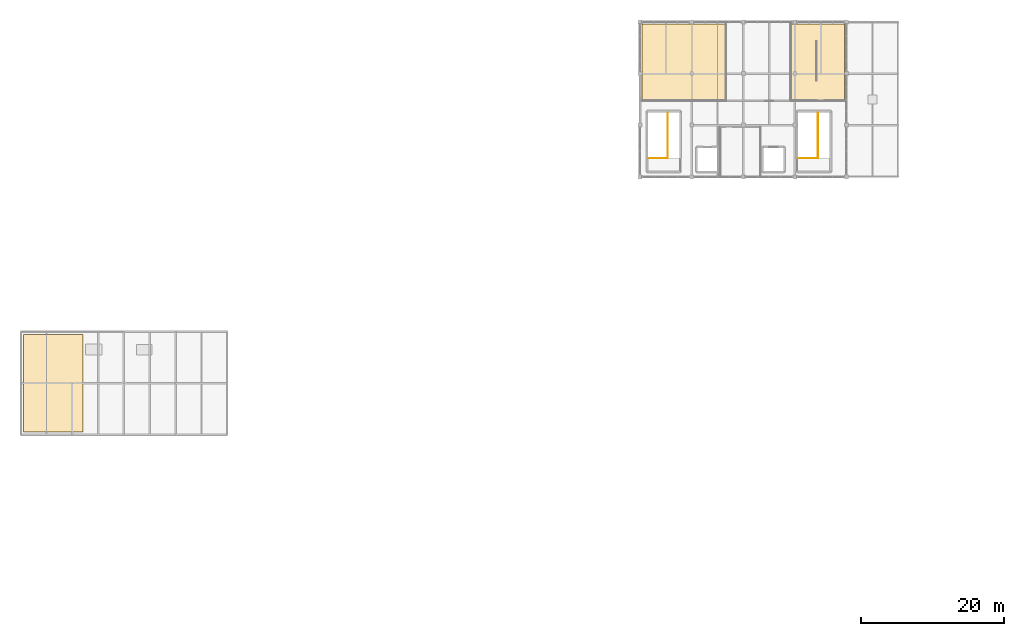
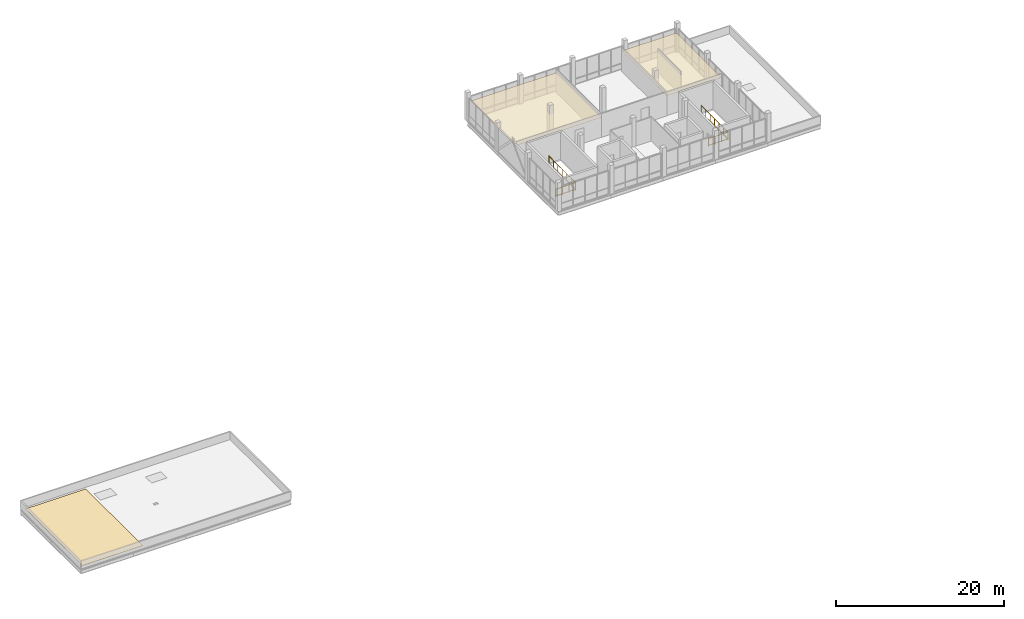
# One storey, part 27 of 28: 3 coverings, 2 railings.
"""IFC4 building model written with IfcOpenShell, lengths in metres."""

from ifc_helpers import new_model, si_unit, direction, frame, origin, origin_2d, place, context, subcontext, project, spatial, polyline, circle, outline, extrude, material, layer, layer_set, type_object, element, save


model = new_model("IFC4")

# Units and contexts
model_context = context("Model", 3, precision=1e-05, world=origin(), true_north=direction((0.0, 1.0)))
body_context = subcontext(model_context, "Body", "Model", "MODEL_VIEW")
ifc_project = project(units=[si_unit("LENGTHUNIT", "METRE"), si_unit("AREAUNIT", "SQUARE_METRE"), si_unit("VOLUMEUNIT", "CUBIC_METRE"), si_unit("PLANEANGLEUNIT", "RADIAN"), si_unit("MASSUNIT", "GRAM", prefix="KILO")], contexts=[model_context])

# Site, building, storey
site_placement = place(None, origin())
site = spatial("IfcSite", under=ifc_project, at=site_placement, CompositionType="ELEMENT")
building_placement = place(site_placement, origin())
building = spatial("IfcBuilding", under=site, at=building_placement, Name="Yarey Park Central Fire Station", CompositionType="ELEMENT")
storey_placement = place(building_placement, frame((0.0, 0.0, 22.199951171875)))
storey = spatial("IfcBuildingStorey", under=building, at=storey_placement, Name="L06", CompositionType="ELEMENT", Elevation=22.199951171875)

# Coverings
ifc_material_1 = material(Name="High-Albedo TPO Roofing Membrane", Category="membrane")
ifc_layer_1 = layer(ifc_material_1, 0.034912109375)
ifc_layer_set_1 = layer_set([ifc_layer_1], Name="High-Albedo TPO Roofing Membrane")
covering_type_1 = type_object("IfcCoveringType", Name="ENV_COV_ROOF_1", PredefinedType="ROOFING", material=ifc_layer_set_1)
covering_1_placement = place(storey_placement, origin())
element("IfcCovering", 1, at=covering_1_placement, inside=storey, type_object=covering_type_1, Name="ROOFING_L06_PAV", PredefinedType="ROOFING", context=body_context, shape_type="SweptSolid", body=[
    extrude(outline(polyline([(29.199951171875, 58.0), (37.5, 58.0), (37.5, 71.60009765625), (29.199951171875, 71.60009765625), (29.199951171875, 58.0)])), origin(), (0.0, 0.0, 1.0), 0.03515625),
])
ifc_material_2 = material(Name="Acoustic Mineral Fibre Tile", Category="finish")
ifc_layer_2 = layer(ifc_material_2, 0.02001953125)
ifc_layer_set_2 = layer_set([ifc_layer_2], Name="Acoustic Mineral Fibre Tile")
covering_type_2 = type_object("IfcCoveringType", Name="INT_CEIL_ACT_1", PredefinedType="CEILING", material=ifc_layer_set_2)
covering_2_placement = place(storey_placement, frame((0.0, 0.0, 2.85009765625)))
element("IfcCovering", 2, at=covering_2_placement, inside=storey, type_object=covering_type_2, Name="CEIL_SPC_L06_CMD", PredefinedType="CEILING", context=body_context, shape_type="SweptSolid", body=[
    extrude(outline(polyline([(115.489990234375, 104.18994140625), (127.2099609375, 104.18994140625), (127.2099609375, 114.909912109375), (115.489990234375, 114.909912109375), (115.489990234375, 104.18994140625)])), origin(), (0.0, 0.0, 1.0), 0.02001953125),
])
ifc_layer_3 = layer(ifc_material_2, 0.031982421875)
ifc_layer_set_3 = layer_set([ifc_layer_3], Name="Acoustic Mineral Fibre Tile")
covering_type_3 = type_object("IfcCoveringType", Name="INT_CEIL_ACT_2", PredefinedType="CEILING", material=ifc_layer_set_3)
covering_3_placement = place(storey_placement, frame((0.0, 0.0, 2.85009765625)))
element("IfcCovering", 3, at=covering_3_placement, inside=storey, type_object=covering_type_3, Name="CEIL_SPC_L06_CONF", PredefinedType="CEILING", context=body_context, shape_type="SweptSolid", body=[
    extrude(outline(polyline([(136.18994140625, 104.18994140625), (143.7099609375, 104.18994140625), (143.7099609375, 114.909912109375), (136.18994140625, 114.909912109375), (136.18994140625, 104.18994140625)])), origin(), (0.0, 0.0, 1.0), 0.031982421875),
])

# Railings
ifc_material_3 = material(Name="Galvanized Steel Balustrade", Category="steel")
railing_type = type_object("IfcRailingType", Name="INT_RAIL_GUARD112", PredefinedType="BALUSTRADE", material=ifc_material_3)
railing_1_placement = place(storey_placement, frame((116.35009765625, 96.179931640625, 0.0)))
element("IfcRailing", 4, at=railing_1_placement, inside=storey, type_object=railing_type, Name="GRD_C1_L06_TOPWELL", PredefinedType="BALUSTRADE", context=body_context, shape_type="SweptSolid", body=[
    extrude(circle(Radius=0.02392578125, at=origin_2d()), frame((0.0, 0.0, 1.09619140625), z_axis=(1.0, 0.0, 0.0), x_axis=(0.0, 1.0, 0.0)), (0.0, 0.0, 1.0), 2.699951171875),
    extrude(circle(Radius=0.02392578125, at=origin_2d()), frame((0.0, 0.0, 0.1201171875), z_axis=(1.0, 0.0, 0.0), x_axis=(0.0, 1.0, 0.0)), (0.0, 0.0, 1.0), 2.699951171875),
    extrude(circle(Radius=0.02392578125, at=origin_2d()), frame((2.699951171875, 0.0, 1.09619140625), z_axis=(0.0, 1.0, 0.0), x_axis=(-1.0, 0.0, 0.0)), (0.0, 0.0, 1.0), 6.3701171875),
    extrude(circle(Radius=0.02392578125, at=origin_2d()), frame((2.699951171875, 0.0, 0.1201171875), z_axis=(0.0, 1.0, 0.0), x_axis=(-1.0, 0.0, 0.0)), (0.0, 0.0, 1.0), 6.3701171875),
    extrude(circle(Radius=0.02099609375, at=origin_2d()), origin(), (0.0, 0.0, 1.0), 1.072021484375),
    extrude(circle(Radius=0.02099609375, at=origin_2d()), frame((0.89990234375, 0.0, 0.0)), (0.0, 0.0, 1.0), 1.072021484375),
    extrude(circle(Radius=0.02099609375, at=origin_2d()), frame((1.800048828125, 0.0, 0.0)), (0.0, 0.0, 1.0), 1.072021484375),
    extrude(circle(Radius=0.02099609375, at=origin_2d()), frame((2.699951171875, 0.0, 0.0)), (0.0, 0.0, 1.0), 1.072021484375),
    extrude(circle(Radius=0.02099609375, at=origin_2d()), frame((2.699951171875, 1.061767578125, 0.0)), (0.0, 0.0, 1.0), 1.072021484375),
    extrude(circle(Radius=0.02099609375, at=origin_2d()), frame((2.699951171875, 2.123291015625, 0.0)), (0.0, 0.0, 1.0), 1.072021484375),
    extrude(circle(Radius=0.02099609375, at=origin_2d()), frame((2.699951171875, 3.18505859375, 0.0)), (0.0, 0.0, 1.0), 1.072021484375),
    extrude(circle(Radius=0.02099609375, at=origin_2d()), frame((2.699951171875, 4.246826171875, 0.0)), (0.0, 0.0, 1.0), 1.072021484375),
    extrude(circle(Radius=0.02099609375, at=origin_2d()), frame((2.699951171875, 5.308349609375, 0.0)), (0.0, 0.0, 1.0), 1.072021484375),
    extrude(circle(Radius=0.02099609375, at=origin_2d()), frame((2.699951171875, 6.3701171875, 0.0)), (0.0, 0.0, 1.0), 1.072021484375),
])
railing_2_placement = place(storey_placement, frame((137.300048828125, 96.179931640625, 0.0)))
element("IfcRailing", 5, at=railing_2_placement, inside=storey, type_object=railing_type, Name="GRD_C2_L06_TOPWELL", PredefinedType="BALUSTRADE", context=body_context, shape_type="SweptSolid", body=[
    extrude(circle(Radius=0.02392578125, at=origin_2d()), frame((0.0, 0.0, 1.09619140625), z_axis=(1.0, 0.0, 0.0), x_axis=(0.0, 1.0, 0.0)), (0.0, 0.0, 1.0), 2.699951171875),
    extrude(circle(Radius=0.02392578125, at=origin_2d()), frame((0.0, 0.0, 0.1201171875), z_axis=(1.0, 0.0, 0.0), x_axis=(0.0, 1.0, 0.0)), (0.0, 0.0, 1.0), 2.699951171875),
    extrude(circle(Radius=0.02392578125, at=origin_2d()), frame((2.699951171875, 0.0, 1.09619140625), z_axis=(0.0, 1.0, 0.0), x_axis=(-1.0, 0.0, 0.0)), (0.0, 0.0, 1.0), 6.3701171875),
    extrude(circle(Radius=0.02392578125, at=origin_2d()), frame((2.699951171875, 0.0, 0.1201171875), z_axis=(0.0, 1.0, 0.0), x_axis=(-1.0, 0.0, 0.0)), (0.0, 0.0, 1.0), 6.3701171875),
    extrude(circle(Radius=0.02099609375, at=origin_2d()), origin(), (0.0, 0.0, 1.0), 1.072021484375),
    extrude(circle(Radius=0.02099609375, at=origin_2d()), frame((0.89990234375, 0.0, 0.0)), (0.0, 0.0, 1.0), 1.072021484375),
    extrude(circle(Radius=0.02099609375, at=origin_2d()), frame((1.800048828125, 0.0, 0.0)), (0.0, 0.0, 1.0), 1.072021484375),
    extrude(circle(Radius=0.02099609375, at=origin_2d()), frame((2.699951171875, 0.0, 0.0)), (0.0, 0.0, 1.0), 1.072021484375),
    extrude(circle(Radius=0.02099609375, at=origin_2d()), frame((2.699951171875, 1.061767578125, 0.0)), (0.0, 0.0, 1.0), 1.072021484375),
    extrude(circle(Radius=0.02099609375, at=origin_2d()), frame((2.699951171875, 2.123291015625, 0.0)), (0.0, 0.0, 1.0), 1.072021484375),
    extrude(circle(Radius=0.02099609375, at=origin_2d()), frame((2.699951171875, 3.18505859375, 0.0)), (0.0, 0.0, 1.0), 1.072021484375),
    extrude(circle(Radius=0.02099609375, at=origin_2d()), frame((2.699951171875, 4.246826171875, 0.0)), (0.0, 0.0, 1.0), 1.072021484375),
    extrude(circle(Radius=0.02099609375, at=origin_2d()), frame((2.699951171875, 5.308349609375, 0.0)), (0.0, 0.0, 1.0), 1.072021484375),
    extrude(circle(Radius=0.02099609375, at=origin_2d()), frame((2.699951171875, 6.3701171875, 0.0)), (0.0, 0.0, 1.0), 1.072021484375),
])

save(model, "model.ifc")
